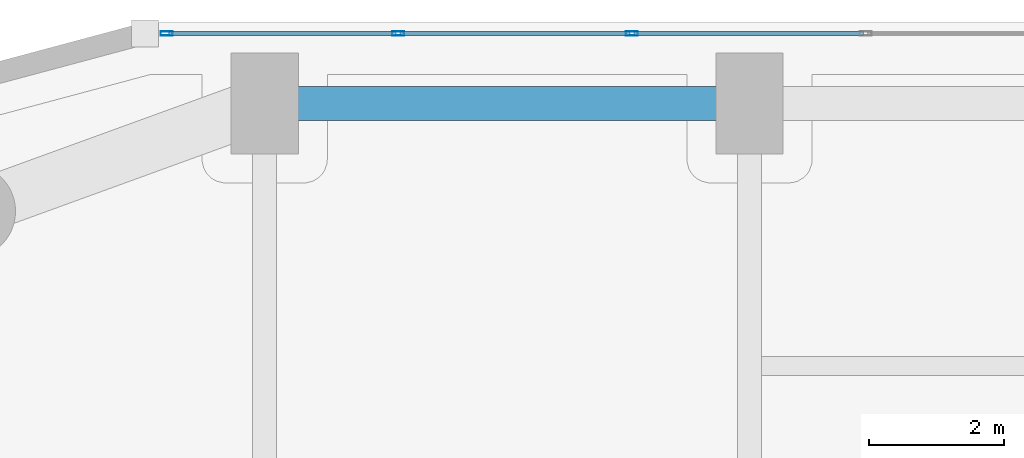
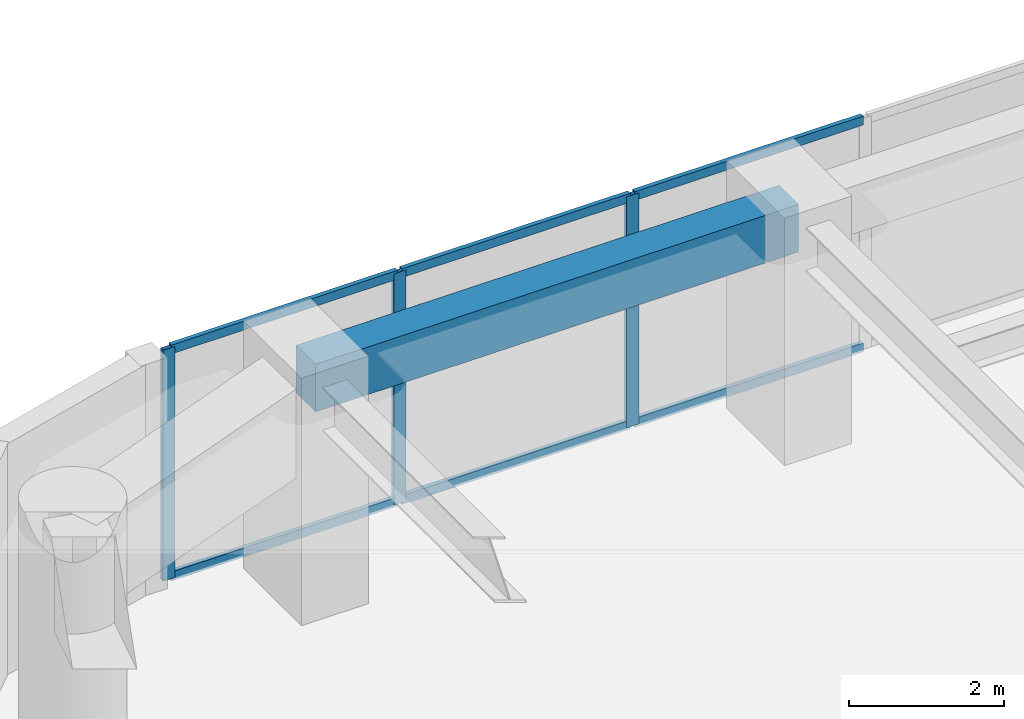
# One storey, part 16 of 29: 9 members, 1 beam, 1 element without a shape of its own.
"""IFC4 building model written with IfcOpenShell, lengths in metres."""

from ifc_helpers import new_model, si_unit, direction, frame, origin, origin_2d, place, context, subcontext, project, spatial, rectangle, hollow_rectangle, extrude, material, layer, layer_set, material_profile, profile_set, type_object, element, aggregate, save


model = new_model("IFC4")

# Units and contexts
model_context = context("Model", 3, precision=1e-05, world=origin(), true_north=direction((0.0, 1.0)))
body_context = subcontext(model_context, "Body", "Model", "MODEL_VIEW")
ifc_project = project(units=[si_unit("LENGTHUNIT", "METRE"), si_unit("AREAUNIT", "SQUARE_METRE"), si_unit("VOLUMEUNIT", "CUBIC_METRE"), si_unit("PLANEANGLEUNIT", "RADIAN"), si_unit("MASSUNIT", "GRAM", prefix="KILO")], contexts=[model_context])

# Site, building, storey
site_placement = place(None, origin())
site = spatial("IfcSite", under=ifc_project, at=site_placement, CompositionType="ELEMENT")
building_placement = place(site_placement, origin())
building = spatial("IfcBuilding", under=site, at=building_placement, Name="Kiyonajd Concourse Tower", CompositionType="ELEMENT")
storey_placement = place(building_placement, frame((0.0, 0.0, 45.0)))
storey = spatial("IfcBuildingStorey", under=building, at=storey_placement, Name="L12", CompositionType="ELEMENT", Elevation=45.0)

# Beam
ifc_material_1 = material(Name="Precast concrete C50/60", Category="concrete")
ifc_material_profile_1 = material_profile(ifc_material_1, rectangle(XDim=0.5, YDim=0.75, at=origin_2d()), Name="RCBM-500x750")
ifc_profile_set_1 = profile_set([ifc_material_profile_1], Name="Precast concrete C50/60")
beam_type = type_object("IfcBeamType", Name="BM-SPAN-RC", PredefinedType="SPANDREL", material=ifc_profile_set_1)
beam_placement = place(storey_placement, frame((32.39990234375, 61.199951171875, 3.264892578125), z_axis=(-1.0, 0.0, 0.0), x_axis=(0.0, -1.0, 0.0)))
element("IfcBeam", 1, at=beam_placement, inside=storey, type_object=beam_type, Name="L12 Perimeter Bundled Tube Spandrel", PredefinedType="SPANDREL", context=body_context, shape_type="SweptSolid", body=[
    extrude(rectangle(XDim=0.5, YDim=0.75, at=origin_2d()), origin(), (0.0, 0.0, 1.0), 7.199951171875),
])

# Curtain wall, members
ifc_material_2 = material(Name="Thermally Broken Anodised Aluminium", Category="aluminium")
ifc_layer = layer(ifc_material_2, 0.179931640625)
ifc_layer_set = layer_set([ifc_layer], Name="Thermally Broken Anodised Aluminium")
curtain_wall_type = type_object("IfcCurtainWallType", Name="CW-SYS-02", PredefinedType="NOTDEFINED", material=ifc_layer_set)
curtain_wall_placement = place(storey_placement, origin())
curtain_wall = element("IfcCurtainWall", 2, at=curtain_wall_placement, inside=storey, type_object=curtain_wall_type, Name="L12 Unitised Curtain Wall CW2", PredefinedType="NOTDEFINED")
ifc_material_profile_2 = material_profile(ifc_material_2, hollow_rectangle(XDim=0.06494140625, YDim=0.179931640625, WallThickness=0.00390625, at=origin_2d()), Name="MULL-65x180")
ifc_profile_set_2 = profile_set([ifc_material_profile_2], Name="Thermally Broken Anodised Aluminium")
member_type_1 = type_object("IfcMemberType", Name="MB-CW-MULL1", PredefinedType="MULLION", material=ifc_profile_set_2)
member_1_placement = place(storey_placement, frame((23.74365234375, 62.239990234375, 0.0), z_axis=(0.0, 0.0, 1.0), x_axis=(0.0, 1.0, 0.0)))
member_1 = element("IfcMember", 3, at=member_1_placement, type_object=member_type_1, Name="CW2 mullion 1", PredefinedType="MULLION", context=body_context, shape_type="SweptSolid", body=[
    extrude(hollow_rectangle(XDim=0.06494140625, YDim=0.179931640625, WallThickness=0.00390625, at=origin_2d()), origin(), (0.0, 0.0, 1.0), 3.639892578125),
])
member_2_placement = place(storey_placement, frame((27.181884765625, 62.239990234375, 0.0), z_axis=(0.0, 0.0, 1.0), x_axis=(0.0, 1.0, 0.0)))
member_2 = element("IfcMember", 4, at=member_2_placement, type_object=member_type_1, Name="CW2 mullion 2", PredefinedType="MULLION", context=body_context, shape_type="SweptSolid", body=[
    extrude(hollow_rectangle(XDim=0.06494140625, YDim=0.179931640625, WallThickness=0.00390625, at=origin_2d()), origin(), (0.0, 0.0, 1.0), 3.639892578125),
])
member_3_placement = place(storey_placement, frame((30.652587890625, 62.239990234375, 0.0), z_axis=(0.0, 0.0, 1.0), x_axis=(0.0, 1.0, 0.0)))
member_3 = element("IfcMember", 5, at=member_3_placement, type_object=member_type_1, Name="CW2 mullion 3", PredefinedType="MULLION", context=body_context, shape_type="SweptSolid", body=[
    extrude(hollow_rectangle(XDim=0.06494140625, YDim=0.179931640625, WallThickness=0.00390625, at=origin_2d()), origin(), (0.0, 0.0, 1.0), 3.639892578125),
])
ifc_material_profile_3 = material_profile(ifc_material_2, hollow_rectangle(XDim=0.06494140625, YDim=0.139892578125, WallThickness=0.00390625, at=origin_2d()), Name="TRAN-65x140")
ifc_profile_set_3 = profile_set([ifc_material_profile_3], Name="Thermally Broken Anodised Aluminium")
member_type_2 = type_object("IfcMemberType", Name="MB-CW-TRAN1", PredefinedType="USERDEFINED", material=ifc_profile_set_3)
member_4_placement = place(storey_placement, frame((23.776123046875, 62.239990234375, 0.032470703125), z_axis=(1.0, 0.0, 0.0), x_axis=(0.0, 1.0, 0.0)))
member_4 = element("IfcMember", 6, at=member_4_placement, type_object=member_type_2, Name="CW2 transom 1.1", ObjectType="TRANSOM", PredefinedType="USERDEFINED", context=body_context, shape_type="SweptSolid", body=[
    extrude(hollow_rectangle(XDim=0.06494140625, YDim=0.139892578125, WallThickness=0.00390625, at=origin_2d()), origin(), (0.0, 0.0, 1.0), 3.373291015625),
])
member_5_placement = place(storey_placement, frame((23.776123046875, 62.239990234375, 3.607421875), z_axis=(1.0, 0.0, 0.0), x_axis=(0.0, 1.0, 0.0)))
member_5 = element("IfcMember", 7, at=member_5_placement, type_object=member_type_2, Name="CW2 transom 1.2", ObjectType="TRANSOM", PredefinedType="USERDEFINED", context=body_context, shape_type="SweptSolid", body=[
    extrude(hollow_rectangle(XDim=0.06494140625, YDim=0.139892578125, WallThickness=0.00390625, at=origin_2d()), origin(), (0.0, 0.0, 1.0), 3.373291015625),
])
member_6_placement = place(storey_placement, frame((27.21435546875, 62.239990234375, 0.032470703125), z_axis=(1.0, 0.0, 0.0), x_axis=(0.0, 1.0, 0.0)))
member_6 = element("IfcMember", 8, at=member_6_placement, type_object=member_type_2, Name="CW2 transom 2.1", ObjectType="TRANSOM", PredefinedType="USERDEFINED", context=body_context, shape_type="SweptSolid", body=[
    extrude(hollow_rectangle(XDim=0.06494140625, YDim=0.139892578125, WallThickness=0.00390625, at=origin_2d()), origin(), (0.0, 0.0, 1.0), 3.40576171875),
])
member_7_placement = place(storey_placement, frame((27.21435546875, 62.239990234375, 3.607421875), z_axis=(1.0, 0.0, 0.0), x_axis=(0.0, 1.0, 0.0)))
member_7 = element("IfcMember", 9, at=member_7_placement, type_object=member_type_2, Name="CW2 transom 2.2", ObjectType="TRANSOM", PredefinedType="USERDEFINED", context=body_context, shape_type="SweptSolid", body=[
    extrude(hollow_rectangle(XDim=0.06494140625, YDim=0.139892578125, WallThickness=0.00390625, at=origin_2d()), origin(), (0.0, 0.0, 1.0), 3.40576171875),
])
member_8_placement = place(storey_placement, frame((30.68505859375, 62.239990234375, 0.032470703125), z_axis=(1.0, 0.0, 0.0), x_axis=(0.0, 1.0, 0.0)))
member_8 = element("IfcMember", 10, at=member_8_placement, type_object=member_type_2, Name="CW2 transom 3.1", ObjectType="TRANSOM", PredefinedType="USERDEFINED", context=body_context, shape_type="SweptSolid", body=[
    extrude(hollow_rectangle(XDim=0.06494140625, YDim=0.139892578125, WallThickness=0.00390625, at=origin_2d()), origin(), (0.0, 0.0, 1.0), 3.40576171875),
])
member_9_placement = place(storey_placement, frame((30.68505859375, 62.239990234375, 3.607421875), z_axis=(1.0, 0.0, 0.0), x_axis=(0.0, 1.0, 0.0)))
member_9 = element("IfcMember", 11, at=member_9_placement, type_object=member_type_2, Name="CW2 transom 3.2", ObjectType="TRANSOM", PredefinedType="USERDEFINED", context=body_context, shape_type="SweptSolid", body=[
    extrude(hollow_rectangle(XDim=0.06494140625, YDim=0.139892578125, WallThickness=0.00390625, at=origin_2d()), origin(), (0.0, 0.0, 1.0), 3.40576171875),
])
aggregate(curtain_wall, [member_1, member_2, member_3, member_4, member_5, member_6, member_7, member_8, member_9])

save(model, "model.ifc")
